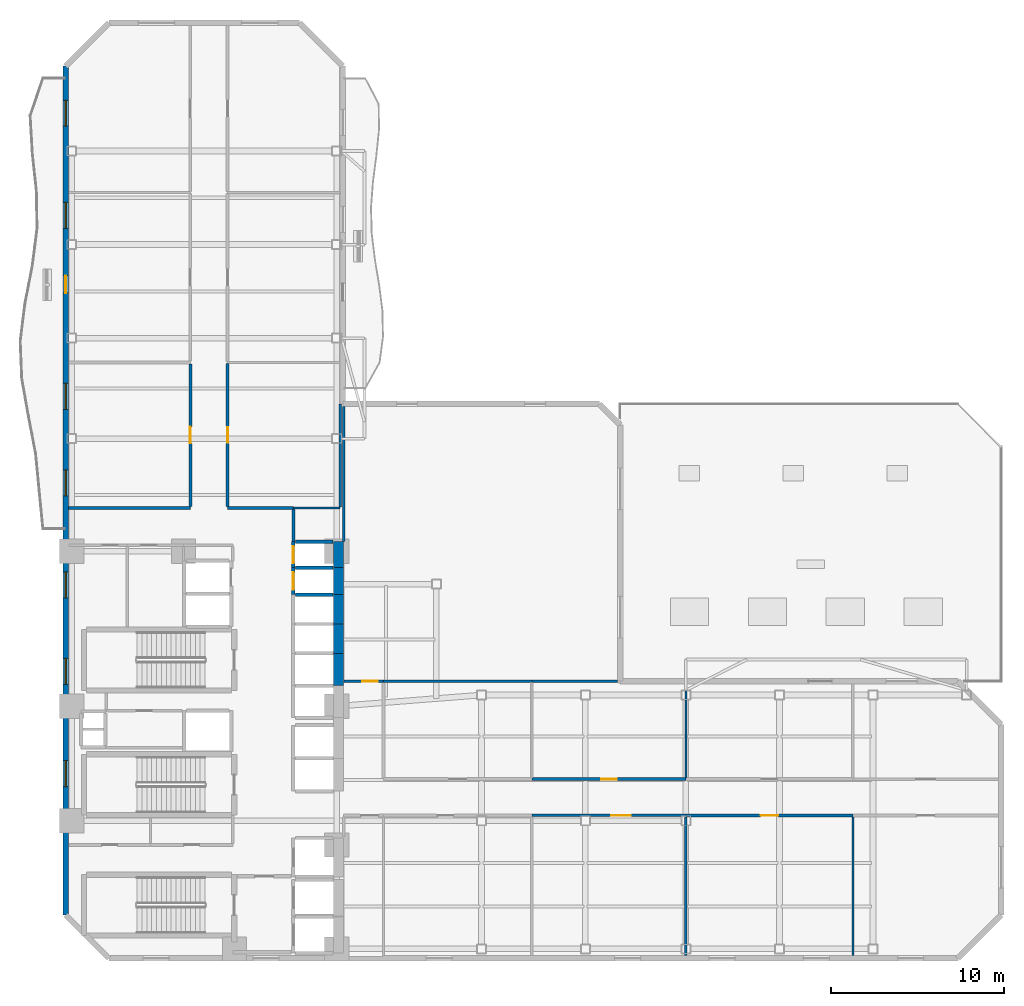
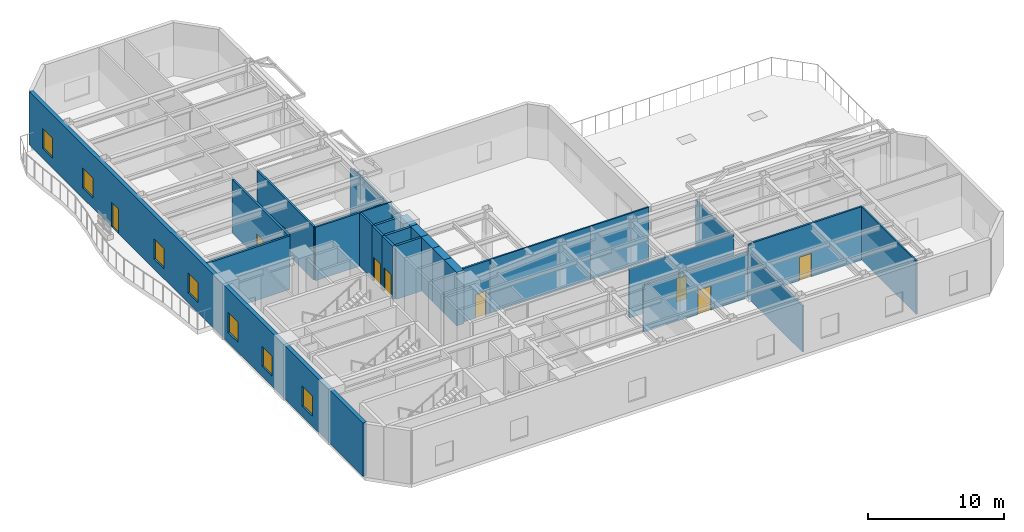
# One storey, part 5 of 10: 28 walls, 9 doors, 7 windows, 16 openings.
"""IFC4 building model written with IfcOpenShell, lengths in metres."""

from ifc_helpers import new_model, si_unit, direction, frame, frame_2d, origin, place, context, subcontext, project, spatial, rectangle, extrude, material, layer, layer_set, type_object, element, fill, save


model = new_model("IFC4")

# Units and contexts
model_context = context("Model", 3, precision=1e-05, world=origin(), true_north=direction((0.0, 1.0)))
body_context = subcontext(model_context, "Body", "Model", "MODEL_VIEW")
ifc_project = project(units=[si_unit("LENGTHUNIT", "METRE"), si_unit("AREAUNIT", "SQUARE_METRE"), si_unit("VOLUMEUNIT", "CUBIC_METRE"), si_unit("PLANEANGLEUNIT", "RADIAN"), si_unit("MASSUNIT", "GRAM", prefix="KILO")], contexts=[model_context])

# Site, building, storey
site_placement = place(None, origin())
site = spatial("IfcSite", under=ifc_project, at=site_placement, CompositionType="ELEMENT")
building_placement = place(site_placement, origin())
building = spatial("IfcBuilding", under=site, at=building_placement, Name="Mawjaban Terraces University", CompositionType="ELEMENT")
storey_placement = place(building_placement, frame((0.0, 0.0, 26.0)))
storey = spatial("IfcBuildingStorey", under=building, at=storey_placement, Name="L05", CompositionType="ELEMENT", Elevation=26.0)

# Wall
ifc_material_1 = material(Name="Acoustic masonry blockwork", Category="masonry")
ifc_layer_1 = layer(ifc_material_1, 0.179931640625)
ifc_layer_set_1 = layer_set([ifc_layer_1], Name="Acoustic masonry blockwork")
wall_type_1 = type_object("IfcWallType", Name="AcousticStudioWall_180", PredefinedType="PARTITIONING", material=ifc_layer_set_1)
wall_1_placement = place(storey_placement, frame((29.199951171875, 26.0, 0.0), z_axis=(0.0, 0.0, 1.0), x_axis=(-1.0, 0.0, 0.0)))
element("IfcWall", 1, at=wall_1_placement, inside=storey, type_object=wall_type_1, Name="L05 North Core Cross-Corridor Partition 7", PredefinedType="PARTITIONING", context=body_context, shape_type="SweptSolid", body=[
    extrude(rectangle(XDim=7.044921875, YDim=0.179931640625, at=frame_2d((3.5224609375, 0.0))), origin(), (0.0, 0.0, 1.0), 4.7900390625),
])

# Wall, opening, door
wall_2_placement = place(storey_placement, frame((29.199951171875, 34.31494140625, 0.0), z_axis=(0.0, 0.0, 1.0), x_axis=(0.0, -1.0, 0.0)))
wall_2 = element("IfcWall", 2, at=wall_2_placement, inside=storey, type_object=wall_type_1, Name="L05 North Academic Spine Corridor Partition 33", PredefinedType="PARTITIONING", context=body_context, shape_type="SweptSolid", body=[
    extrude(rectangle(XDim=8.22998046875, YDim=0.179931640625, at=frame_2d((4.114990234375, 0.0))), origin(), (0.0, 0.0, 1.0), 4.7900390625),
])
opening_1_placement = place(wall_2_placement, frame((3.639892578125, 0.0, 0.0)))
opening_1 = element("IfcOpeningElement", 3, at=opening_1_placement, cuts=wall_2, Name="Opening ID-095", PredefinedType="OPENING", context=body_context, shape_type="SweptSolid", body=[
    extrude(rectangle(XDim=0.949951171875, YDim=2.10009765625, at=frame_2d((0.47509765625, 1.050048828125))), frame((0.0, 0.099853515625, 0.0), z_axis=(0.0, -1.0, 0.0), x_axis=(1.0, 0.0, 0.0)), (0.0, 0.0, 1.0), 0.199951171875),
])
ifc_material_2 = material(Name="Powder-coated steel frame and solid acoustic timber leaf", Category="steel")
door_type_1 = type_object("IfcDoorType", Name="StudioDoor_950x2100", OperationType="NOTDEFINED", PredefinedType="DOOR", material=ifc_material_2)
door_1_placement = place(opening_1_placement, origin())
door_1 = element("IfcDoor", 4, at=door_1_placement, inside=storey, type_object=door_type_1, Name="L05 Design Studio 10 Door", OperationType="SINGLE_SWING_LEFT", OverallHeight=2.10009765625, OverallWidth=0.949951171875, PredefinedType="DOOR", context=body_context, shape_type="SweptSolid", body=[
    extrude(rectangle(XDim=0.949951171875, YDim=2.10009765625, at=frame_2d((0.47509765625, 1.050048828125))), frame((0.0, 0.02490234375, 0.0), z_axis=(0.0, -1.0, 0.0), x_axis=(1.0, 0.0, 0.0)), (0.0, 0.0, 1.0), 0.050048828125),
])
fill(opening_1, door_1)

# Walls
ifc_material_3 = material(Name="Concrete C70/85", Category="concrete")
ifc_layer_2 = layer(ifc_material_3, 0.60009765625)
ifc_layer_set_2 = layer_set([ifc_layer_2], Name="Concrete C70/85")
wall_type_2 = type_object("IfcWallType", Name="CoreShearWall_600", PredefinedType="SHEAR", material=ifc_layer_set_2)
wall_3_placement = place(storey_placement, frame((37.75, 15.75, 0.0), z_axis=(0.0, 0.0, 1.0), x_axis=(0.0, 1.0, 0.0)))
element("IfcWall", 5, at=wall_3_placement, inside=storey, type_object=wall_type_2, Name="L05 Lift OL-2 Hoistway Wall East", PredefinedType="SHEAR", context=body_context, shape_type="SweptSolid", body=[
    extrude(rectangle(XDim=1.85009765625, YDim=0.60009765625, at=frame_2d((0.925048828125, 0.0))), origin(), (0.0, 0.0, 1.0), 4.7900390625),
])
for number, where, z_axis, x_axis, name in (
    (6, (37.75, 17.60009765625, 0.0), (0.0, 0.0, 1.0), (0.0, 1.0, 0.0), "L05 Lift PL-M1 Hoistway Wall East"),
    (7, (37.75, 19.300048828125, 0.0), (0.0, 0.0, 1.0), (0.0, 1.0, 0.0), "L05 Lift PL-M2 Hoistway Wall East"),
):
    element("IfcWall", number, at=place(storey_placement, frame(where, z_axis=z_axis, x_axis=x_axis)), inside=storey, type_object=wall_type_2, Name=name, PredefinedType="SHEAR", context=body_context, shape_type="SweptSolid", body=[
        extrude(rectangle(XDim=1.699951171875, YDim=0.60009765625, at=frame_2d((0.85009765625, 0.0))), origin(), (0.0, 0.0, 1.0), 4.7900390625),
    ])
wall_4_placement = place(storey_placement, frame((37.75, 21.0, 0.0), z_axis=(0.0, 0.0, 1.0), x_axis=(0.0, 1.0, 0.0)))
element("IfcWall", 8, at=wall_4_placement, inside=storey, type_object=wall_type_2, Name="L05 Lift PL-L1 Hoistway Wall East", PredefinedType="SHEAR", context=body_context, shape_type="SweptSolid", body=[
    extrude(rectangle(XDim=1.550048828125, YDim=0.60009765625, at=frame_2d((0.77490234375, 0.0))), origin(), (0.0, 0.0, 1.0), 4.7900390625),
])
wall_5_placement = place(storey_placement, frame((37.75, 22.550048828125, 0.0), z_axis=(0.0, 0.0, 1.0), x_axis=(0.0, 1.0, 0.0)))
element("IfcWall", 9, at=wall_5_placement, inside=storey, type_object=wall_type_2, Name="L05 Lift PL-L2 Hoistway Wall East", PredefinedType="SHEAR", context=body_context, shape_type="SweptSolid", body=[
    extrude(rectangle(XDim=1.5, YDim=0.60009765625, at=frame_2d((0.75, 0.0))), origin(), (0.0, 0.0, 1.0), 4.7900390625),
])
ifc_material_4 = material(Name="Fire-rated gypsum board on steel stud", Category="steel")
ifc_layer_3 = layer(ifc_material_4, 0.159912109375)
ifc_layer_set_3 = layer_set([ifc_layer_3], Name="Fire-rated gypsum board on steel stud")
wall_type_3 = type_object("IfcWallType", Name="CorridorPartition_160", PredefinedType="PARTITIONING", material=ifc_layer_set_3)
wall_6_placement = place(storey_placement, frame((35.14990234375, 26.0, 0.0), z_axis=(0.0, 0.0, 1.0), x_axis=(-1.0, 0.0, 0.0)))
element("IfcWall", 10, at=wall_6_placement, inside=storey, type_object=wall_type_3, Name="L05 North Core Cross-Corridor Partition 13", PredefinedType="PARTITIONING", context=body_context, shape_type="SweptSolid", body=[
    extrude(rectangle(XDim=3.7998046875, YDim=0.159912109375, at=frame_2d((1.89990234375, 0.0))), origin(), (0.0, 0.0, 1.0), 4.7900390625),
])

# Wall, opening, door
wall_7_placement = place(storey_placement, frame((40.35009765625, 16.0, 0.0), z_axis=(0.0, 0.0, 1.0), x_axis=(-1.0, 0.0, 0.0)))
wall_7 = element("IfcWall", 11, at=wall_7_placement, inside=storey, type_object=wall_type_3, Name="L05 East Academic Corridor Vestibule Partition 19", PredefinedType="PARTITIONING", context=body_context, shape_type="SweptSolid", body=[
    extrude(rectangle(XDim=2.27001953125, YDim=0.159912109375, at=frame_2d((1.135009765625, 0.0))), origin(), (0.0, 0.0, 1.0), 4.7900390625),
])
opening_2_placement = place(wall_7_placement, frame((0.3349609375, 0.0, 0.0)))
opening_2 = element("IfcOpeningElement", 12, at=opening_2_placement, cuts=wall_7, Name="Opening ID-090", PredefinedType="OPENING", context=body_context, shape_type="SweptSolid", body=[
    extrude(rectangle(XDim=0.89990234375, YDim=2.10009765625, at=frame_2d((0.449951171875, 1.050048828125))), frame((0.0, 0.08984375, 0.0), z_axis=(0.0, -1.0, 0.0), x_axis=(1.0, 0.0, 0.0)), (0.0, 0.0, 1.0), 0.179931640625),
])
door_type_2 = type_object("IfcDoorType", Name="OfficeDoor_900x2100", OperationType="NOTDEFINED", PredefinedType="DOOR", material=ifc_material_2)
door_2_placement = place(opening_2_placement, origin())
door_2 = element("IfcDoor", 13, at=door_2_placement, inside=storey, type_object=door_type_2, Name="L05 Terrace Collaborative Study Room Door", OperationType="SINGLE_SWING_LEFT", OverallHeight=2.10009765625, OverallWidth=0.89990234375, PredefinedType="DOOR", context=body_context, shape_type="SweptSolid", body=[
    extrude(rectangle(XDim=0.89990234375, YDim=2.10009765625, at=frame_2d((0.449951171875, 1.050048828125))), frame((0.0, 0.02490234375, 0.0), z_axis=(0.0, -1.0, 0.0), x_axis=(1.0, 0.0, 0.0)), (0.0, 0.0, 1.0), 0.050048828125),
])
fill(opening_2, door_2)

wall_8_placement = place(storey_placement, frame((57.800048828125, 8.25, 0.0), z_axis=(0.0, 0.0, 1.0), x_axis=(1.0, 0.0, 0.0)))
wall_8 = element("IfcWall", 14, at=wall_8_placement, inside=storey, type_object=wall_type_3, Name="L05 East Academic Spine Corridor Partition 24", PredefinedType="PARTITIONING", context=body_context, shape_type="SweptSolid", body=[
    extrude(rectangle(XDim=9.639892578125, YDim=0.159912109375, at=frame_2d((4.81982421875, 0.0))), origin(), (0.0, 0.0, 1.0), 4.7900390625),
])
opening_3_placement = place(wall_8_placement, frame((4.320068359375, 0.0, 0.0)))
opening_3 = element("IfcOpeningElement", 15, at=opening_3_placement, cuts=wall_8, Name="Opening ID-100", PredefinedType="OPENING", context=body_context, shape_type="SweptSolid", body=[
    extrude(rectangle(XDim=1.0, YDim=2.10009765625, at=frame_2d((0.5, 1.050048828125))), frame((0.0, 0.08984375, 0.0), z_axis=(0.0, -1.0, 0.0), x_axis=(1.0, 0.0, 0.0)), (0.0, 0.0, 1.0), 0.179931640625),
])
door_type_3 = type_object("IfcDoorType", Name="ClassroomDoor_1000x2100", OperationType="NOTDEFINED", PredefinedType="DOOR", material=ifc_material_2)
door_3_placement = place(opening_3_placement, origin())
door_3 = element("IfcDoor", 16, at=door_3_placement, inside=storey, type_object=door_type_3, Name="L05 Classroom 6 Door", OperationType="SINGLE_SWING_LEFT", OverallHeight=2.10009765625, OverallWidth=1.0, PredefinedType="DOOR", context=body_context, shape_type="SweptSolid", body=[
    extrude(rectangle(XDim=1.0, YDim=2.10009765625, at=frame_2d((0.5, 1.050048828125))), frame((0.0, 0.02490234375, 0.0), z_axis=(0.0, -1.0, 0.0), x_axis=(1.0, 0.0, 0.0)), (0.0, 0.0, 1.0), 0.050048828125),
])
fill(opening_3, door_3)

wall_9_placement = place(storey_placement, frame((57.800048828125, 10.35009765625, 0.0), z_axis=(0.0, 0.0, 1.0), x_axis=(-1.0, 0.0, 0.0)))
wall_9 = element("IfcWall", 17, at=wall_9_placement, inside=storey, type_object=wall_type_3, Name="L05 East Academic Spine Corridor Partition 25", PredefinedType="PARTITIONING", context=body_context, shape_type="SweptSolid", body=[
    extrude(rectangle(XDim=8.89013671875, YDim=0.159912109375, at=frame_2d((4.445068359375, 0.0))), origin(), (0.0, 0.0, 1.0), 4.376953125),
])
opening_4_placement = place(wall_9_placement, frame((3.9951171875, 0.0, 0.0)))
opening_4 = element("IfcOpeningElement", 18, at=opening_4_placement, cuts=wall_9, Name="Opening ID-090", PredefinedType="OPENING", context=body_context, shape_type="SweptSolid", body=[
    extrude(rectangle(XDim=0.89990234375, YDim=2.10009765625, at=frame_2d((0.449951171875, 1.050048828125))), frame((0.0, 0.08984375, 0.0), z_axis=(0.0, -1.0, 0.0), x_axis=(1.0, 0.0, 0.0)), (0.0, 0.0, 1.0), 0.179931640625),
])
door_4_placement = place(opening_4_placement, origin())
door_4 = element("IfcDoor", 19, at=door_4_placement, inside=storey, type_object=door_type_2, Name="L05 Seminar Room 5 Door", OperationType="SINGLE_SWING_RIGHT", OverallHeight=2.10009765625, OverallWidth=0.89990234375, PredefinedType="DOOR", context=body_context, shape_type="SweptSolid", body=[
    extrude(rectangle(XDim=0.89990234375, YDim=2.10009765625, at=frame_2d((0.449951171875, 1.050048828125))), frame((0.0, 0.02490234375, 0.0), z_axis=(0.0, -1.0, 0.0), x_axis=(1.0, 0.0, 0.0)), (0.0, 0.0, 1.0), 0.050048828125),
])
fill(opening_4, door_4)

wall_10_placement = place(storey_placement, frame((31.35009765625, 26.074951171875, 0.0), z_axis=(0.0, 0.0, 1.0), x_axis=(0.0, 1.0, 0.0)))
wall_10 = element("IfcWall", 20, at=wall_10_placement, inside=storey, type_object=wall_type_3, Name="L05 North Academic Spine Corridor Partition 36", PredefinedType="PARTITIONING", context=body_context, shape_type="SweptSolid", body=[
    extrude(rectangle(XDim=8.26806640625, YDim=0.159912109375, at=frame_2d((4.134033203125, 0.0))), origin(), (0.0, 0.0, 1.0), 4.7900390625),
])
opening_5_placement = place(wall_10_placement, frame((3.68408203125, 0.0, 0.0)))
opening_5 = element("IfcOpeningElement", 21, at=opening_5_placement, cuts=wall_10, Name="Opening ID-090", PredefinedType="OPENING", context=body_context, shape_type="SweptSolid", body=[
    extrude(rectangle(XDim=0.89990234375, YDim=2.10009765625, at=frame_2d((0.449951171875, 1.050048828125))), frame((0.0, 0.08984375, 0.0), z_axis=(0.0, -1.0, 0.0), x_axis=(1.0, 0.0, 0.0)), (0.0, 0.0, 1.0), 0.179931640625),
])
door_5_placement = place(opening_5_placement, origin())
door_5 = element("IfcDoor", 22, at=door_5_placement, inside=storey, type_object=door_type_2, Name="L05 Faculty Office 11 Door", OperationType="SINGLE_SWING_RIGHT", OverallHeight=2.10009765625, OverallWidth=0.89990234375, PredefinedType="DOOR", context=body_context, shape_type="SweptSolid", body=[
    extrude(rectangle(XDim=0.89990234375, YDim=2.10009765625, at=frame_2d((0.449951171875, 1.050048828125))), frame((0.0, 0.02490234375, 0.0), z_axis=(0.0, -1.0, 0.0), x_axis=(1.0, 0.0, 0.0)), (0.0, 0.0, 1.0), 0.050048828125),
])
fill(opening_5, door_5)

# Wall
wall_11_placement = place(storey_placement, frame((35.14990234375, 24.070068359375, 0.0), z_axis=(0.0, 0.0, 1.0), x_axis=(0.0, 1.0, 0.0)))
element("IfcWall", 23, at=wall_11_placement, inside=storey, type_object=wall_type_3, Name="L05 North Core Cross-Corridor Partition 41", PredefinedType="PARTITIONING", context=body_context, shape_type="SweptSolid", body=[
    extrude(rectangle(XDim=1.85498046875, YDim=0.159912109375, at=frame_2d((0.927490234375, 0.0))), origin(), (0.0, 0.0, 1.0), 4.7900390625),
])

# Wall, openings, door, windows
ifc_material_5 = material(Name="Insulated terracotta rainscreen on concrete backup C40/50", Category="masonry")
ifc_layer_4 = layer(ifc_material_5, 0.320068359375)
ifc_layer_set_4 = layer_set([ifc_layer_4], Name="Insulated terracotta rainscreen on concrete backup C40/50")
wall_type_4 = type_object("IfcWallType", Name="ExtTerracottaWall_320", PredefinedType="SOLIDWALL", material=ifc_layer_set_4)
wall_12_placement = place(storey_placement, frame((22.0, 51.5, 0.0), z_axis=(0.0, 0.0, 1.0), x_axis=(0.0, -1.0, 0.0)))
wall_12 = element("IfcWall", 24, at=wall_12_placement, inside=storey, type_object=wall_type_4, Name="L05 Exterior Terracotta Wall 13", PredefinedType="SOLIDWALL", context=body_context, shape_type="SweptSolid", body=[
    extrude(rectangle(XDim=49.0, YDim=0.320068359375, at=frame_2d((24.5, 0.0))), origin(), (0.0, 0.0, 1.0), 4.7900390625),
])
opening_6_placement = place(wall_12_placement, frame((12.10009765625, 0.0, 0.0)))
opening_6 = element("IfcOpeningElement", 25, at=opening_6_placement, cuts=wall_12, Name="Opening BD-100", PredefinedType="OPENING", context=body_context, shape_type="SweptSolid", body=[
    extrude(rectangle(XDim=1.0, YDim=2.199951171875, at=frame_2d((0.5, 1.10009765625))), frame((0.0, 0.169921875, 0.0), z_axis=(0.0, -1.0, 0.0), x_axis=(1.0, 0.0, 0.0)), (0.0, 0.0, 1.0), 0.340087890625),
])
opening_7_placement = place(wall_12_placement, frame((1.971923828125, 0.0, 0.89990234375)))
opening_7 = element("IfcOpeningElement", 26, at=opening_7_placement, cuts=wall_12, Name="Opening W-06", PredefinedType="OPENING", context=body_context, shape_type="SweptSolid", body=[
    extrude(rectangle(XDim=1.5, YDim=1.800048828125, at=frame_2d((0.75, 0.89990234375))), frame((0.0, 0.169921875, 0.0), z_axis=(0.0, -1.0, 0.0), x_axis=(1.0, 0.0, 0.0)), (0.0, 0.0, 1.0), 0.340087890625),
])
opening_8_placement = place(wall_12_placement, frame((7.866943359375, 0.0, 0.89990234375)))
opening_8 = element("IfcOpeningElement", 27, at=opening_8_placement, cuts=wall_12, Name="Opening W-06", PredefinedType="OPENING", context=body_context, shape_type="SweptSolid", body=[
    extrude(rectangle(XDim=1.5, YDim=1.800048828125, at=frame_2d((0.75, 0.89990234375))), frame((0.0, 0.169921875, 0.0), z_axis=(0.0, -1.0, 0.0), x_axis=(1.0, 0.0, 0.0)), (0.0, 0.0, 1.0), 0.340087890625),
])
opening_9_placement = place(wall_12_placement, frame((18.305908203125, 0.0, 0.89990234375)))
opening_9 = element("IfcOpeningElement", 28, at=opening_9_placement, cuts=wall_12, Name="Opening W-06", PredefinedType="OPENING", context=body_context, shape_type="SweptSolid", body=[
    extrude(rectangle(XDim=1.5, YDim=1.800048828125, at=frame_2d((0.75, 0.89990234375))), frame((0.0, 0.169921875, 0.0), z_axis=(0.0, -1.0, 0.0), x_axis=(1.0, 0.0, 0.0)), (0.0, 0.0, 1.0), 0.340087890625),
])
opening_10_placement = place(wall_12_placement, frame((23.300048828125, 0.0, 0.89990234375)))
opening_10 = element("IfcOpeningElement", 29, at=opening_10_placement, cuts=wall_12, Name="Opening W-06", PredefinedType="OPENING", context=body_context, shape_type="SweptSolid", body=[
    extrude(rectangle(XDim=1.5, YDim=1.800048828125, at=frame_2d((0.75, 0.89990234375))), frame((0.0, 0.169921875, 0.0), z_axis=(0.0, -1.0, 0.0), x_axis=(1.0, 0.0, 0.0)), (0.0, 0.0, 1.0), 0.340087890625),
])
opening_11_placement = place(wall_12_placement, frame((29.194091796875, 0.0, 0.89990234375)))
opening_11 = element("IfcOpeningElement", 30, at=opening_11_placement, cuts=wall_12, Name="Opening W-06", PredefinedType="OPENING", context=body_context, shape_type="SweptSolid", body=[
    extrude(rectangle(XDim=1.5, YDim=1.800048828125, at=frame_2d((0.75, 0.89990234375))), frame((0.0, 0.169921875, 0.0), z_axis=(0.0, -1.0, 0.0), x_axis=(1.0, 0.0, 0.0)), (0.0, 0.0, 1.0), 0.340087890625),
])
opening_12_placement = place(wall_12_placement, frame((34.18896484375, 0.0, 0.89990234375)))
opening_12 = element("IfcOpeningElement", 31, at=opening_12_placement, cuts=wall_12, Name="Opening W-06", PredefinedType="OPENING", context=body_context, shape_type="SweptSolid", body=[
    extrude(rectangle(XDim=1.5, YDim=1.800048828125, at=frame_2d((0.75, 0.89990234375))), frame((0.0, 0.169921875, 0.0), z_axis=(0.0, -1.0, 0.0), x_axis=(1.0, 0.0, 0.0)), (0.0, 0.0, 1.0), 0.340087890625),
])
opening_13_placement = place(wall_12_placement, frame((40.0830078125, 0.0, 0.89990234375)))
opening_13 = element("IfcOpeningElement", 32, at=opening_13_placement, cuts=wall_12, Name="Opening W-06", PredefinedType="OPENING", context=body_context, shape_type="SweptSolid", body=[
    extrude(rectangle(XDim=1.5, YDim=1.800048828125, at=frame_2d((0.75, 0.89990234375))), frame((0.0, 0.169921875, 0.0), z_axis=(0.0, -1.0, 0.0), x_axis=(1.0, 0.0, 0.0)), (0.0, 0.0, 1.0), 0.340087890625),
])
ifc_material_6 = material(Name="Thermally broken anodised aluminium and laminated safety glass", Category="aluminium")
door_type_4 = type_object("IfcDoorType", Name="BalconyGlazedDoor_1000x2200", OperationType="NOTDEFINED", PredefinedType="DOOR", material=ifc_material_6)
door_6_placement = place(opening_6_placement, origin())
door_6 = element("IfcDoor", 33, at=door_6_placement, inside=storey, type_object=door_type_4, Name="L05 Balcony Access Door west", OperationType="SINGLE_SWING_RIGHT", OverallHeight=2.199951171875, OverallWidth=1.0, PredefinedType="DOOR", context=body_context, shape_type="SweptSolid", body=[
    extrude(rectangle(XDim=1.0, YDim=2.199951171875, at=frame_2d((0.5, 1.10009765625))), frame((0.0, 0.02490234375, 0.0), z_axis=(0.0, -1.0, 0.0), x_axis=(1.0, 0.0, 0.0)), (0.0, 0.0, 1.0), 0.050048828125),
])
fill(opening_6, door_6)
ifc_material_7 = material(Name="Low-E solar-control double glazing in thermally broken aluminium frame", Category="aluminium")
window_type = type_object("IfcWindowType", Name="Win_1500x1800", PartitioningType="SINGLE_PANEL", PredefinedType="WINDOW", material=ifc_material_7)
window_1_placement = place(opening_7_placement, origin())
window_1 = element("IfcWindow", 34, at=window_1_placement, inside=storey, type_object=window_type, Name="L05 Facade Window 13.1", OverallHeight=1.800048828125, OverallWidth=1.5, PartitioningType="SINGLE_PANEL", PredefinedType="WINDOW", context=body_context, shape_type="SweptSolid", body=[
    extrude(rectangle(XDim=1.5, YDim=1.800048828125, at=frame_2d((0.75, 0.89990234375))), frame((0.0, 0.030029296875, 0.0), z_axis=(0.0, -1.0, 0.0), x_axis=(1.0, 0.0, 0.0)), (0.0, 0.0, 1.0), 0.06005859375),
])
fill(opening_7, window_1)
window_2_placement = place(opening_8_placement, origin())
window_2 = element("IfcWindow", 35, at=window_2_placement, inside=storey, type_object=window_type, Name="L05 Facade Window 13.2", OverallHeight=1.800048828125, OverallWidth=1.5, PartitioningType="SINGLE_PANEL", PredefinedType="WINDOW", context=body_context, shape_type="SweptSolid", body=[
    extrude(rectangle(XDim=1.5, YDim=1.800048828125, at=frame_2d((0.75, 0.89990234375))), frame((0.0, 0.030029296875, 0.0), z_axis=(0.0, -1.0, 0.0), x_axis=(1.0, 0.0, 0.0)), (0.0, 0.0, 1.0), 0.06005859375),
])
fill(opening_8, window_2)
window_3_placement = place(opening_9_placement, origin())
window_3 = element("IfcWindow", 36, at=window_3_placement, inside=storey, type_object=window_type, Name="L05 Facade Window 13.4", OverallHeight=1.800048828125, OverallWidth=1.5, PartitioningType="SINGLE_PANEL", PredefinedType="WINDOW", context=body_context, shape_type="SweptSolid", body=[
    extrude(rectangle(XDim=1.5, YDim=1.800048828125, at=frame_2d((0.75, 0.89990234375))), frame((0.0, 0.030029296875, 0.0), z_axis=(0.0, -1.0, 0.0), x_axis=(1.0, 0.0, 0.0)), (0.0, 0.0, 1.0), 0.06005859375),
])
fill(opening_9, window_3)
window_4_placement = place(opening_10_placement, origin())
window_4 = element("IfcWindow", 37, at=window_4_placement, inside=storey, type_object=window_type, Name="L05 Facade Window 13.5", OverallHeight=1.800048828125, OverallWidth=1.5, PartitioningType="SINGLE_PANEL", PredefinedType="WINDOW", context=body_context, shape_type="SweptSolid", body=[
    extrude(rectangle(XDim=1.5, YDim=1.800048828125, at=frame_2d((0.75, 0.89990234375))), frame((0.0, 0.030029296875, 0.0), z_axis=(0.0, -1.0, 0.0), x_axis=(1.0, 0.0, 0.0)), (0.0, 0.0, 1.0), 0.06005859375),
])
fill(opening_10, window_4)
window_5_placement = place(opening_11_placement, origin())
window_5 = element("IfcWindow", 38, at=window_5_placement, inside=storey, type_object=window_type, Name="L05 Facade Window 13.6", OverallHeight=1.800048828125, OverallWidth=1.5, PartitioningType="SINGLE_PANEL", PredefinedType="WINDOW", context=body_context, shape_type="SweptSolid", body=[
    extrude(rectangle(XDim=1.5, YDim=1.800048828125, at=frame_2d((0.75, 0.89990234375))), frame((0.0, 0.030029296875, 0.0), z_axis=(0.0, -1.0, 0.0), x_axis=(1.0, 0.0, 0.0)), (0.0, 0.0, 1.0), 0.06005859375),
])
fill(opening_11, window_5)
window_6_placement = place(opening_12_placement, origin())
window_6 = element("IfcWindow", 39, at=window_6_placement, inside=storey, type_object=window_type, Name="L05 Facade Window 13.7", OverallHeight=1.800048828125, OverallWidth=1.5, PartitioningType="SINGLE_PANEL", PredefinedType="WINDOW", context=body_context, shape_type="SweptSolid", body=[
    extrude(rectangle(XDim=1.5, YDim=1.800048828125, at=frame_2d((0.75, 0.89990234375))), frame((0.0, 0.030029296875, 0.0), z_axis=(0.0, -1.0, 0.0), x_axis=(1.0, 0.0, 0.0)), (0.0, 0.0, 1.0), 0.06005859375),
])
fill(opening_12, window_6)
window_7_placement = place(opening_13_placement, origin())
window_7 = element("IfcWindow", 40, at=window_7_placement, inside=storey, type_object=window_type, Name="L05 Facade Window 13.8", OverallHeight=1.800048828125, OverallWidth=1.5, PartitioningType="SINGLE_PANEL", PredefinedType="WINDOW", context=body_context, shape_type="SweptSolid", body=[
    extrude(rectangle(XDim=1.5, YDim=1.800048828125, at=frame_2d((0.75, 0.89990234375))), frame((0.0, 0.030029296875, 0.0), z_axis=(0.0, -1.0, 0.0), x_axis=(1.0, 0.0, 0.0)), (0.0, 0.0, 1.0), 0.06005859375),
])
fill(opening_13, window_7)

# Wall
ifc_material_8 = material(Name="Concrete C40/50", Category="concrete")
ifc_layer_5 = layer(ifc_material_8, 0.199951171875)
ifc_layer_set_5 = layer_set([ifc_layer_5], Name="Concrete C40/50")
wall_type_5 = type_object("IfcWallType", Name="FireLobbyWall_200", PredefinedType="SOLIDWALL", material=ifc_layer_set_5)
wall_13_placement = place(storey_placement, frame((37.419921875, 21.0, 0.0), z_axis=(0.0, 0.0, 1.0), x_axis=(-1.0, 0.0, 0.0)))
element("IfcWall", 41, at=wall_13_placement, inside=storey, type_object=wall_type_5, Name="L05 Lift PL-M2 Hoistway Wall North", PredefinedType="SOLIDWALL", context=body_context, shape_type="SweptSolid", body=[
    extrude(rectangle(XDim=2.139892578125, YDim=0.199951171875, at=frame_2d((1.06982421875, 0.0))), origin(), (0.0, 0.0, 1.0), 4.7900390625),
])

# Wall, opening, door
wall_14_placement = place(storey_placement, frame((35.14990234375, 22.550048828125, 0.0), z_axis=(0.0, 0.0, 1.0), x_axis=(0.0, -1.0, 0.0)))
wall_14 = element("IfcWall", 42, at=wall_14_placement, inside=storey, type_object=wall_type_5, Name="L05 Lift PL-L1 Hoistway Wall West", PredefinedType="SOLIDWALL", context=body_context, shape_type="SweptSolid", body=[
    extrude(rectangle(XDim=1.550048828125, YDim=0.199951171875, at=frame_2d((0.77490234375, 0.0))), origin(), (0.0, 0.0, 1.0), 4.7900390625),
])
opening_14_placement = place(wall_14_placement, frame((0.27490234375, 0.0, 0.0)))
opening_14 = element("IfcOpeningElement", 43, at=opening_14_placement, cuts=wall_14, Name="Opening LD-PL-L1", PredefinedType="OPENING", context=body_context, shape_type="SweptSolid", body=[
    extrude(rectangle(XDim=1.0, YDim=2.10009765625, at=frame_2d((0.5, 1.050048828125))), frame((0.0, 0.10986328125, 0.0), z_axis=(0.0, -1.0, 0.0), x_axis=(1.0, 0.0, 0.0)), (0.0, 0.0, 1.0), 0.219970703125),
])
ifc_material_9 = material(Name="Powder-coated steel frame and fire-rated steel-faced leaf", Category="steel")
door_type_5 = type_object("IfcDoorType", Name="LiftLandingSliding_1000x2100", OperationType="NOTDEFINED", PredefinedType="DOOR", material=ifc_material_9)
door_7_placement = place(opening_14_placement, origin())
door_7 = element("IfcDoor", 44, at=door_7_placement, inside=storey, type_object=door_type_5, Name="L05 Lift PL-L1 Sliding Landing Door", OperationType="DOUBLE_DOOR_SLIDING", OverallHeight=2.10009765625, OverallWidth=1.0, PredefinedType="DOOR", context=body_context, shape_type="SweptSolid", body=[
    extrude(rectangle(XDim=1.0, YDim=2.10009765625, at=frame_2d((0.5, 1.050048828125))), frame((0.0, 0.02490234375, 0.0), z_axis=(0.0, -1.0, 0.0), x_axis=(1.0, 0.0, 0.0)), (0.0, 0.0, 1.0), 0.050048828125),
])
fill(opening_14, door_7)

# Wall
wall_15_placement = place(storey_placement, frame((37.419921875, 22.550048828125, 0.0), z_axis=(0.0, 0.0, 1.0), x_axis=(-1.0, 0.0, 0.0)))
element("IfcWall", 45, at=wall_15_placement, inside=storey, type_object=wall_type_5, Name="L05 Lift PL-L1 Hoistway Wall North", PredefinedType="SOLIDWALL", context=body_context, shape_type="SweptSolid", body=[
    extrude(rectangle(XDim=2.139892578125, YDim=0.199951171875, at=frame_2d((1.06982421875, 0.0))), origin(), (0.0, 0.0, 1.0), 4.7900390625),
])

# Wall, opening, door
wall_16_placement = place(storey_placement, frame((35.14990234375, 24.050048828125, 0.0), z_axis=(0.0, 0.0, 1.0), x_axis=(0.0, -1.0, 0.0)))
wall_16 = element("IfcWall", 46, at=wall_16_placement, inside=storey, type_object=wall_type_5, Name="L05 Lift PL-L2 Hoistway Wall West", PredefinedType="SOLIDWALL", context=body_context, shape_type="SweptSolid", body=[
    extrude(rectangle(XDim=1.5, YDim=0.199951171875, at=frame_2d((0.75, 0.0))), origin(), (0.0, 0.0, 1.0), 4.7900390625),
])
opening_15_placement = place(wall_16_placement, frame((0.25, 0.0, 0.0)))
opening_15 = element("IfcOpeningElement", 47, at=opening_15_placement, cuts=wall_16, Name="Opening LD-PL-L2", PredefinedType="OPENING", context=body_context, shape_type="SweptSolid", body=[
    extrude(rectangle(XDim=1.0, YDim=2.10009765625, at=frame_2d((0.5, 1.050048828125))), frame((0.0, 0.10986328125, 0.0), z_axis=(0.0, -1.0, 0.0), x_axis=(1.0, 0.0, 0.0)), (0.0, 0.0, 1.0), 0.219970703125),
])
door_8_placement = place(opening_15_placement, origin())
door_8 = element("IfcDoor", 48, at=door_8_placement, inside=storey, type_object=door_type_5, Name="L05 Lift PL-L2 Sliding Landing Door", OperationType="DOUBLE_DOOR_SLIDING", OverallHeight=2.10009765625, OverallWidth=1.0, PredefinedType="DOOR", context=body_context, shape_type="SweptSolid", body=[
    extrude(rectangle(XDim=1.0, YDim=2.10009765625, at=frame_2d((0.5, 1.050048828125))), frame((0.0, 0.02490234375, 0.0), z_axis=(0.0, -1.0, 0.0), x_axis=(1.0, 0.0, 0.0)), (0.0, 0.0, 1.0), 0.050048828125),
])
fill(opening_15, door_8)

# Wall
wall_17_placement = place(storey_placement, frame((37.419921875, 24.050048828125, 0.0), z_axis=(0.0, 0.0, 1.0), x_axis=(-1.0, 0.0, 0.0)))
element("IfcWall", 49, at=wall_17_placement, inside=storey, type_object=wall_type_5, Name="L05 Lift PL-L2 Hoistway Wall North", PredefinedType="SOLIDWALL", context=body_context, shape_type="SweptSolid", body=[
    extrude(rectangle(XDim=2.139892578125, YDim=0.199951171875, at=frame_2d((1.06982421875, 0.0))), origin(), (0.0, 0.0, 1.0), 4.7900390625),
])

# Wall, opening, door
ifc_material_10 = material(Name="Moisture-resistant gypsum board on steel stud", Category="steel")
ifc_layer_6 = layer(ifc_material_10, 0.14501953125)
ifc_layer_set_6 = layer_set([ifc_layer_6], Name="Moisture-resistant gypsum board on steel stud")
wall_type_6 = type_object("IfcWallType", Name="LabPartition_145", PredefinedType="PARTITIONING", material=ifc_layer_set_6)
wall_18_placement = place(storey_placement, frame((48.909912109375, 8.25, 0.0), z_axis=(0.0, 0.0, 1.0), x_axis=(1.0, 0.0, 0.0)))
wall_18 = element("IfcWall", 50, at=wall_18_placement, inside=storey, type_object=wall_type_6, Name="L05 East Academic Spine Corridor Partition 20", PredefinedType="PARTITIONING", context=body_context, shape_type="SweptSolid", body=[
    extrude(rectangle(XDim=8.89013671875, YDim=0.14501953125, at=frame_2d((4.445068359375, 0.0))), origin(), (0.0, 0.0, 1.0), 4.155029296875),
])
opening_16_placement = place(wall_18_placement, frame((4.594970703125, 0.0, 0.0)))
opening_16 = element("IfcOpeningElement", 51, at=opening_16_placement, cuts=wall_18, Name="Opening ID-110", PredefinedType="OPENING", context=body_context, shape_type="SweptSolid", body=[
    extrude(rectangle(XDim=1.10009765625, YDim=2.14990234375, at=frame_2d((0.550048828125, 1.074951171875))), frame((0.0, 0.08251953125, 0.0), z_axis=(0.0, -1.0, 0.0), x_axis=(1.0, 0.0, 0.0)), (0.0, 0.0, 1.0), 0.1650390625),
])
door_type_6 = type_object("IfcDoorType", Name="LabDoor_1100x2150", OperationType="NOTDEFINED", PredefinedType="DOOR", material=ifc_material_2)
door_9_placement = place(opening_16_placement, origin())
door_9 = element("IfcDoor", 52, at=door_9_placement, inside=storey, type_object=door_type_6, Name="L05 Teaching Laboratory 4 Door", OperationType="SINGLE_SWING_LEFT", OverallHeight=2.14990234375, OverallWidth=1.10009765625, PredefinedType="DOOR", context=body_context, shape_type="SweptSolid", body=[
    extrude(rectangle(XDim=1.10009765625, YDim=2.14990234375, at=frame_2d((0.550048828125, 1.074951171875))), frame((0.0, 0.02490234375, 0.0), z_axis=(0.0, -1.0, 0.0), x_axis=(1.0, 0.0, 0.0)), (0.0, 0.0, 1.0), 0.050048828125),
])
fill(opening_16, door_9)

# Walls
wall_19_placement = place(storey_placement, frame((57.800048828125, 0.155029296875, 0.0), z_axis=(0.0, 0.0, 1.0), x_axis=(0.0, 1.0, 0.0)))
element("IfcWall", 53, at=wall_19_placement, inside=storey, type_object=wall_type_6, Name="L05 Teaching Laboratory 4 Partition 49", PredefinedType="PARTITIONING", context=body_context, shape_type="SweptSolid", body=[
    extrude(rectangle(XDim=8.02001953125, YDim=0.14501953125, at=frame_2d((4.010009765625, 0.0))), origin(), (0.0, 0.0, 1.0), 4.155029296875),
])
ifc_material_11 = material(Name="Gypsum plasterboard on steel stud", Category="steel")
ifc_layer_7 = layer(ifc_material_11, 0.125)
ifc_layer_set_7 = layer_set([ifc_layer_7], Name="Gypsum plasterboard on steel stud")
wall_type_7 = type_object("IfcWallType", Name="OfficePartition_125", PredefinedType="PARTITIONING", material=ifc_layer_set_7)
wall_20_placement = place(storey_placement, frame((35.14990234375, 26.0, 0.0), z_axis=(0.0, 0.0, 1.0), x_axis=(1.0, 0.0, 0.0)))
element("IfcWall", 54, at=wall_20_placement, inside=storey, type_object=wall_type_7, Name="L05 Faculty Office 11 Partition 14", PredefinedType="PARTITIONING", context=body_context, shape_type="SweptSolid", body=[
    extrude(rectangle(XDim=2.7001953125, YDim=0.125, at=frame_2d((1.35009765625, 0.0))), origin(), (0.0, 0.0, 1.0), 4.7900390625),
])
wall_21_placement = place(storey_placement, frame((48.909912109375, 16.0, 0.0), z_axis=(0.0, 0.0, 1.0), x_axis=(1.0, 0.0, 0.0)))
element("IfcWall", 55, at=wall_21_placement, inside=storey, type_object=wall_type_7, Name="L05 Terrace Collaborative Study Room Partition 22", PredefinedType="PARTITIONING", context=body_context, shape_type="SweptSolid", body=[
    extrude(rectangle(XDim=4.93505859375, YDim=0.125, at=frame_2d((2.467529296875, 0.0))), origin(), (0.0, 0.0, 1.0), 4.7900390625),
])
wall_22_placement = place(storey_placement, frame((48.909912109375, 16.0, 0.0), z_axis=(0.0, 0.0, 1.0), x_axis=(-1.0, 0.0, 0.0)))
element("IfcWall", 56, at=wall_22_placement, inside=storey, type_object=wall_type_7, Name="L05 Classroom 3 Partition 23", PredefinedType="PARTITIONING", context=body_context, shape_type="SweptSolid", body=[
    extrude(rectangle(XDim=8.559814453125, YDim=0.125, at=frame_2d((4.27978515625, 0.0))), origin(), (0.0, 0.0, 1.0), 4.7900390625),
])
wall_23_placement = place(storey_placement, frame((37.85009765625, 26.05810546875, 0.0), z_axis=(0.0, 0.0, 1.0), x_axis=(0.0, 1.0, 0.0)))
element("IfcWall", 57, at=wall_23_placement, inside=storey, type_object=wall_type_7, Name="L05 Faculty Office 11 Partition 42", PredefinedType="PARTITIONING", context=body_context, shape_type="SweptSolid", body=[
    extrude(rectangle(XDim=5.94189453125, YDim=0.125, at=frame_2d((2.970947265625, 0.0))), origin(), (0.0, 0.0, 1.0), 4.155029296875),
])
wall_24_placement = place(storey_placement, frame((38.050048828125, 31.844970703125, 0.0), z_axis=(0.0, 0.0, 1.0), x_axis=(0.0, -1.0, 0.0)))
element("IfcWall", 58, at=wall_24_placement, inside=storey, type_object=wall_type_7, Name="L05 Terrace Collaborative Study Room Partition 44", PredefinedType="PARTITIONING", context=body_context, shape_type="SweptSolid", body=[
    extrude(rectangle(XDim=7.794921875, YDim=0.125, at=frame_2d((3.8974609375, 0.0))), origin(), (0.0, 0.0, 1.0), 4.155029296875),
])
wall_25_placement = place(storey_placement, frame((57.800048828125, 10.425048828125, 0.0), z_axis=(0.0, 0.0, 1.0), x_axis=(0.0, 1.0, 0.0)))
element("IfcWall", 59, at=wall_25_placement, inside=storey, type_object=wall_type_7, Name="L05 Seminar Room 5 Partition 50", PredefinedType="PARTITIONING", context=body_context, shape_type="SweptSolid", body=[
    extrude(rectangle(XDim=5.419921875, YDim=0.125, at=frame_2d((2.7099609375, 0.0))), origin(), (0.0, 0.0, 1.0), 4.155029296875),
])
wall_26_placement = place(storey_placement, frame((67.43994140625, 0.155029296875, 0.0), z_axis=(0.0, 0.0, 1.0), x_axis=(0.0, 1.0, 0.0)))
element("IfcWall", 60, at=wall_26_placement, inside=storey, type_object=wall_type_7, Name="L05 Classroom 6 Partition 51", PredefinedType="PARTITIONING", context=body_context, shape_type="SweptSolid", body=[
    extrude(rectangle(XDim=8.02001953125, YDim=0.125, at=frame_2d((4.010009765625, 0.0))), origin(), (0.0, 0.0, 1.0), 4.7900390625),
])

save(model, "model.ifc")
